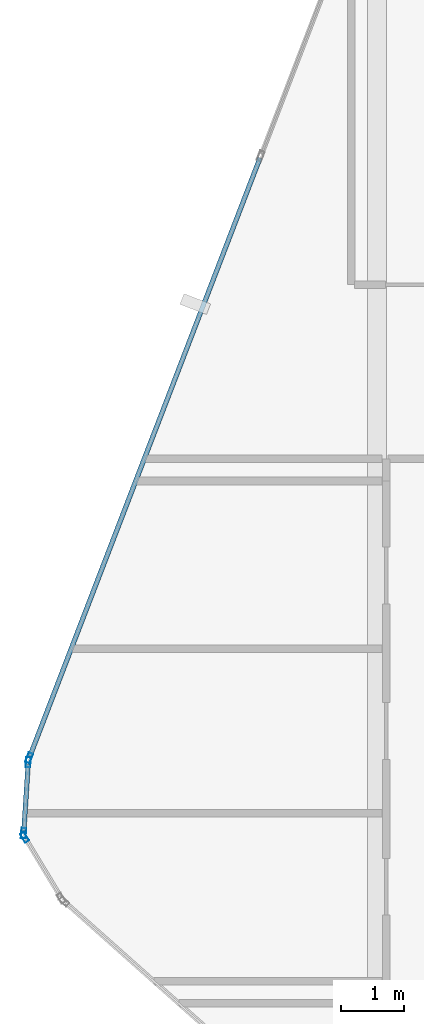
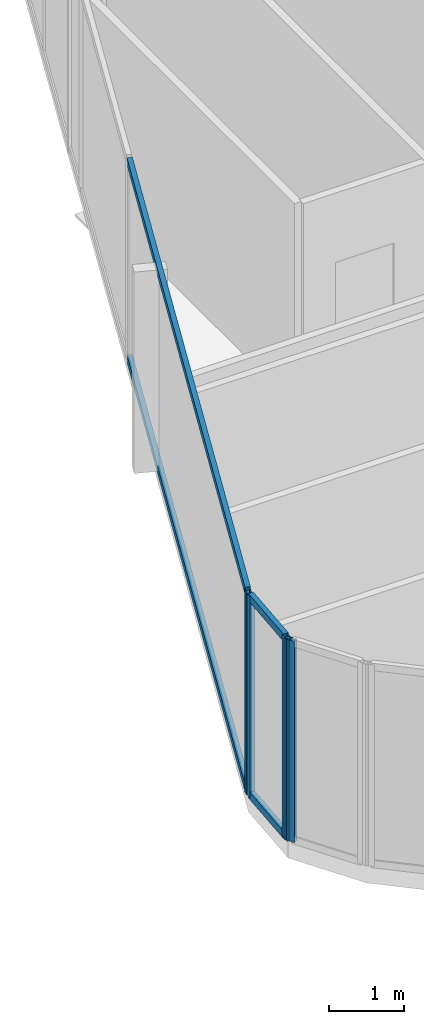
# One storey, part 8 of 27: 8 members, 3 elements without a shape of their own.
"""IFC4 building model written with IfcOpenShell, lengths in metres."""

from ifc_helpers import new_model, si_unit, direction, frame, origin, origin_2d, place, context, subcontext, project, spatial, hollow_rectangle, extrude, material, layer, layer_set, material_profile, profile_set, type_object, element, aggregate, save


model = new_model("IFC4")

# Units and contexts
model_context = context("Model", 3, precision=1e-05, world=origin(), true_north=direction((0.0, 1.0)))
body_context = subcontext(model_context, "Body", "Model", "MODEL_VIEW")
ifc_project = project(units=[si_unit("LENGTHUNIT", "METRE"), si_unit("AREAUNIT", "SQUARE_METRE"), si_unit("VOLUMEUNIT", "CUBIC_METRE"), si_unit("PLANEANGLEUNIT", "RADIAN"), si_unit("MASSUNIT", "GRAM", prefix="KILO")], contexts=[model_context])

# Site, building, storey
site_placement = place(None, origin())
site = spatial("IfcSite", under=ifc_project, at=site_placement, CompositionType="ELEMENT")
building_placement = place(site_placement, origin())
building = spatial("IfcBuilding", under=site, at=building_placement, Name="Keshet Zoharim Tower", CompositionType="ELEMENT")
storey_placement = place(building_placement, frame((0.0, 0.0, 311.0)))
storey = spatial("IfcBuildingStorey", under=building, at=storey_placement, Name="L78", CompositionType="ELEMENT", Elevation=311.0)

# Curtain wall, member
ifc_material = material(Name="Aluminium 6063-T6", Category="aluminium")
ifc_layer = layer(ifc_material, 0.260009765625)
ifc_layer_set = layer_set([ifc_layer], Name="Aluminium 6063-T6")
curtain_wall_type = type_object("IfcCurtainWallType", Name="CW-SYS-06", PredefinedType="NOTDEFINED", material=ifc_layer_set)
curtain_wall_1_placement = place(storey_placement, origin())
curtain_wall_1 = element("IfcCurtainWall", 1, at=curtain_wall_1_placement, inside=storey, type_object=curtain_wall_type, Name="L78 Unitised Curtain Wall 01", PredefinedType="NOTDEFINED")
ifc_material_profile_1 = material_profile(ifc_material, hollow_rectangle(XDim=0.074951171875, YDim=0.159912109375, WallThickness=0.00390625, at=origin_2d()), Name="MUL-75x160")
ifc_profile_set_1 = profile_set([ifc_material_profile_1], Name="Aluminium 6063-T6")
member_type_1 = type_object("IfcMemberType", Name="CWM-M15", PredefinedType="MULLION", material=ifc_profile_set_1)
member_1_placement = place(storey_placement, frame((3.43798828125, 22.77197265625, 0.0), z_axis=(0.0, 0.0, 1.0), x_axis=(-0.856826433805, -0.515604947933, 0.0)))
member_1 = element("IfcMember", 2, at=member_1_placement, type_object=member_type_1, Name="CW-06 mullion 2", PredefinedType="MULLION", context=body_context, shape_type="SweptSolid", body=[
    extrude(hollow_rectangle(XDim=0.074951171875, YDim=0.159912109375, WallThickness=0.00390625, at=origin_2d()), origin(), (0.0, 0.0, 1.0), 3.280029296875),
])
aggregate(curtain_wall_1, [member_1])

# Curtain wall, members
curtain_wall_2_placement = place(storey_placement, origin())
curtain_wall_2 = element("IfcCurtainWall", 3, at=curtain_wall_2_placement, inside=storey, type_object=curtain_wall_type, Name="L78 Unitised Curtain Wall 02", PredefinedType="NOTDEFINED")
member_2_placement = place(storey_placement, frame((3.42236328125, 22.8369140625, 0.0), z_axis=(0.0, 0.0, 1.0), x_axis=(-0.997916617186, 0.064516859374, 0.0)))
member_2 = element("IfcMember", 4, at=member_2_placement, type_object=member_type_1, Name="CW-06 mullion 1", PredefinedType="MULLION", context=body_context, shape_type="SweptSolid", body=[
    extrude(hollow_rectangle(XDim=0.074951171875, YDim=0.159912109375, WallThickness=0.00390625, at=origin_2d()), origin(), (0.0, 0.0, 1.0), 3.280029296875),
])
member_3_placement = place(storey_placement, frame((3.49462890625, 23.9580078125, 0.0), z_axis=(0.0, 0.0, 1.0), x_axis=(-0.997916617186, 0.064516859374, 0.0)))
member_3 = element("IfcMember", 5, at=member_3_placement, type_object=member_type_1, Name="CW-06 mullion 2", PredefinedType="MULLION", context=body_context, shape_type="SweptSolid", body=[
    extrude(hollow_rectangle(XDim=0.074951171875, YDim=0.159912109375, WallThickness=0.00390625, at=origin_2d()), origin(), (0.0, 0.0, 1.0), 3.280029296875),
])

# Curtain wall, member
curtain_wall_3_placement = place(storey_placement, origin())
curtain_wall_3 = element("IfcCurtainWall", 6, at=curtain_wall_3_placement, inside=storey, type_object=curtain_wall_type, Name="L78 Unitised Curtain Wall 03", PredefinedType="NOTDEFINED")
member_4_placement = place(storey_placement, frame((3.509521484375, 24.025634765625, 0.0), z_axis=(0.0, 0.0, 1.0), x_axis=(-0.933341404361, 0.358990003907, 0.0)))
member_4 = element("IfcMember", 7, at=member_4_placement, type_object=member_type_1, Name="CW-06 mullion 1", PredefinedType="MULLION", context=body_context, shape_type="SweptSolid", body=[
    extrude(hollow_rectangle(XDim=0.074951171875, YDim=0.159912109375, WallThickness=0.00390625, at=origin_2d()), origin(), (0.0, 0.0, 1.0), 3.280029296875),
])

# Member
ifc_material_profile_2 = material_profile(ifc_material, hollow_rectangle(XDim=0.074951171875, YDim=0.1201171875, WallThickness=0.00390625, at=origin_2d()), Name="TRN-75x120")
ifc_profile_set_2 = profile_set([ifc_material_profile_2], Name="Aluminium 6063-T6")
member_type_2 = type_object("IfcMemberType", Name="CWT-T12", PredefinedType="USERDEFINED", material=ifc_profile_set_2)
member_5_placement = place(storey_placement, frame((3.424560546875, 22.871826171875, 0.034912109375), z_axis=(0.064426947155, 0.997922426083, 0.0), x_axis=(-0.997922426083, 0.064426947155, 0.0)))
member_5 = element("IfcMember", 8, at=member_5_placement, type_object=member_type_2, Name="CW-06 transom 1.1", ObjectType="TRANSOM", PredefinedType="USERDEFINED", context=body_context, shape_type="SweptSolid", body=[
    extrude(hollow_rectangle(XDim=0.074951171875, YDim=0.1201171875, WallThickness=0.00390625, at=origin_2d()), origin(), (0.0, 0.0, 1.0), 1.053466796875),
])

member_6_placement = place(storey_placement, frame((3.424560546875, 22.871826171875, 3.2451171875), z_axis=(0.064426947155, 0.997922426083, 0.0), x_axis=(-0.997922426083, 0.064426947155, 0.0)))
member_6 = element("IfcMember", 9, at=member_6_placement, type_object=member_type_2, Name="CW-06 transom 1.2", ObjectType="TRANSOM", PredefinedType="USERDEFINED", context=body_context, shape_type="SweptSolid", body=[
    extrude(hollow_rectangle(XDim=0.074951171875, YDim=0.1201171875, WallThickness=0.00390625, at=origin_2d()), origin(), (0.0, 0.0, 1.0), 1.053466796875),
])

aggregate(curtain_wall_2, [member_2, member_3, member_5, member_6])

member_7_placement = place(storey_placement, frame((3.522216796875, 24.058349609375, 0.034912109375), z_axis=(0.358993631387, 0.93334000912, 0.0), x_axis=(-0.93334000912, 0.358993631387, 0.0)))
member_7 = element("IfcMember", 10, at=member_7_placement, type_object=member_type_2, Name="CW-06 transom 1.1", ObjectType="TRANSOM", PredefinedType="USERDEFINED", context=body_context, shape_type="SweptSolid", body=[
    extrude(hollow_rectangle(XDim=0.074951171875, YDim=0.1201171875, WallThickness=0.00390625, at=origin_2d()), origin(), (0.0, 0.0, 1.0), 10.1181640625),
])

member_8_placement = place(storey_placement, frame((3.522216796875, 24.058349609375, 3.2451171875), z_axis=(0.358993631387, 0.93334000912, 0.0), x_axis=(-0.93334000912, 0.358993631387, 0.0)))
member_8 = element("IfcMember", 11, at=member_8_placement, type_object=member_type_2, Name="CW-06 transom 1.2", ObjectType="TRANSOM", PredefinedType="USERDEFINED", context=body_context, shape_type="SweptSolid", body=[
    extrude(hollow_rectangle(XDim=0.074951171875, YDim=0.1201171875, WallThickness=0.00390625, at=origin_2d()), origin(), (0.0, 0.0, 1.0), 10.1181640625),
])

aggregate(curtain_wall_3, [member_4, member_7, member_8])

save(model, "model.ifc")
